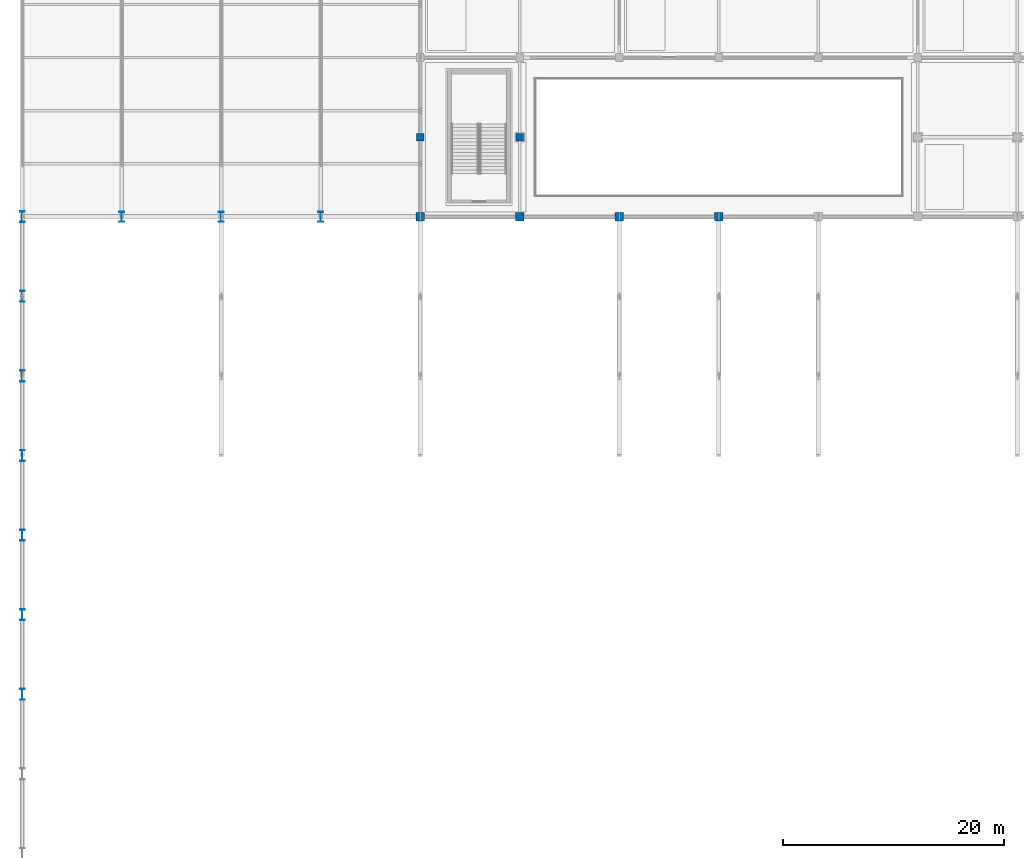
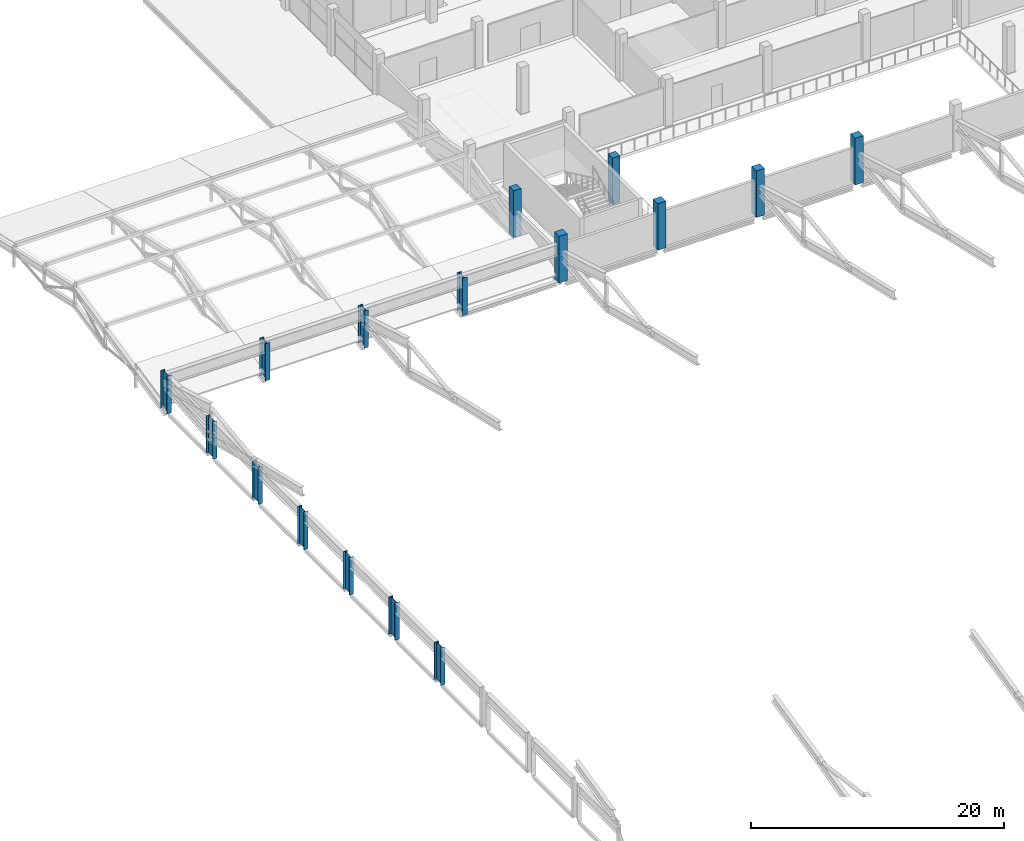
# One storey, part 3 of 151: 16 columns.
"""IFC4 building model written with IfcOpenShell, lengths in metres."""

from ifc_helpers import new_model, si_unit, direction, frame, origin, origin_2d, place, context, subcontext, project, spatial, rectangle, i_section, extrude, material, material_profile, profile_set, type_object, element, save


model = new_model("IFC4")

# Units and contexts
model_context = context("Model", 3, precision=1e-05, world=origin(), true_north=direction((0.0, 1.0)))
body_context = subcontext(model_context, "Body", "Model", "MODEL_VIEW")
ifc_project = project(units=[si_unit("LENGTHUNIT", "METRE"), si_unit("AREAUNIT", "SQUARE_METRE"), si_unit("VOLUMEUNIT", "CUBIC_METRE"), si_unit("PLANEANGLEUNIT", "RADIAN"), si_unit("MASSUNIT", "GRAM", prefix="KILO")], contexts=[model_context])

# Site, building, storey
site_placement = place(None, origin())
site = spatial("IfcSite", under=ifc_project, at=site_placement, CompositionType="ELEMENT")
building_placement = place(site_placement, origin())
building = spatial("IfcBuilding", under=site, at=building_placement, Name="Celestram Park Convention Centre", CompositionType="ELEMENT")
storey_placement = place(building_placement, frame((0.0, 0.0, 10.800048828125)))
storey = spatial("IfcBuildingStorey", under=building, at=storey_placement, Name="L02", CompositionType="ELEMENT", Elevation=10.800048828125)

# Columns
ifc_material_1 = material(Name="Concrete C40/50", Category="concrete")
ifc_material_profile_1 = material_profile(ifc_material_1, rectangle(XDim=0.699951171875, YDim=0.699951171875, at=origin_2d()), Name="RC700X700")
ifc_profile_set_1 = profile_set([ifc_material_profile_1], Name="Concrete C40/50")
column_type_1 = type_object("IfcColumnType", Name="STR-COL-RC700", PredefinedType="COLUMN", material=ifc_profile_set_1)
for number, where, z_axis, x_axis, name in (
    (1, (36.0, 115.199951171875, 0.0), (0.0, 0.0, 1.0), (1.0, 0.0, 0.0), "Column CN-L02-022"),
    (2, (45.0, 115.199951171875, 0.0), (0.0, 0.0, 1.0), (1.0, 0.0, 0.0), "Column CN-L02-032"),
):
    element("IfcColumn", number, at=place(storey_placement, frame(where, z_axis=z_axis, x_axis=x_axis)), inside=storey, type_object=column_type_1, Name=name, PredefinedType="COLUMN", context=body_context, shape_type="SweptSolid", body=[
        extrude(rectangle(XDim=0.699951171875, YDim=0.699951171875, at=origin_2d()), origin(), (0.0, 0.0, 1.0), 4.5),
    ])
ifc_material_profile_2 = material_profile(ifc_material_1, rectangle(XDim=0.75, YDim=0.75, at=origin_2d()), Name="RC750X750")
ifc_profile_set_2 = profile_set([ifc_material_profile_2], Name="Concrete C40/50")
column_type_2 = type_object("IfcColumnType", Name="STR-COL-RC750", PredefinedType="COLUMN", material=ifc_profile_set_2)
for number, where, z_axis, x_axis, name in (
    (3, (36.0, 108.0, 0.0), (0.0, 0.0, 1.0), (1.0, 0.0, 0.0), "Column CN-L02-021"),
    (4, (45.0, 108.0, 0.0), (0.0, 0.0, 1.0), (1.0, 0.0, 0.0), "Column CN-L02-031"),
    (5, (54.0, 108.0, 0.0), (0.0, 0.0, 1.0), (1.0, 0.0, 0.0), "Column CN-L02-041"),
    (6, (63.0, 108.0, 0.0), (0.0, 0.0, 1.0), (1.0, 0.0, 0.0), "Column CN-L02-050"),
):
    element("IfcColumn", number, at=place(storey_placement, frame(where, z_axis=z_axis, x_axis=x_axis)), inside=storey, type_object=column_type_2, Name=name, PredefinedType="COLUMN", context=body_context, shape_type="SweptSolid", body=[
        extrude(rectangle(XDim=0.75, YDim=0.75, at=origin_2d()), origin(), (0.0, 0.0, 1.0), 4.5),
    ])
ifc_material_2 = material(Name="Steel ASTM A992 Grade 50", Category="steel")
ifc_material_profile_3 = material_profile(ifc_material_2, i_section(OverallWidth=0.4189453125, OverallDepth=0.927001953125, WebThickness=0.019287109375, FlangeThickness=0.031982421875, at=origin_2d()), Name="W36X231")
ifc_profile_set_3 = profile_set([ifc_material_profile_3], Name="Steel ASTM A992 Grade 50")
column_type_3 = type_object("IfcColumnType", Name="STR-COL-W36X231", PredefinedType="COLUMN", material=ifc_profile_set_3)
for number, where, z_axis, x_axis, name in (
    (7, (9.0, 108.0, 0.0), (0.0, 0.0, 1.0), (1.0, 0.0, 0.0), "Column CN-L02-015"),
    (8, (18.0, 108.0, 0.0), (0.0, 0.0, 1.0), (1.0, 0.0, 0.0), "Column CN-L02-017"),
    (9, (27.0, 108.0, 0.0), (0.0, 0.0, 1.0), (1.0, 0.0, 0.0), "Column CN-L02-019"),
):
    element("IfcColumn", number, at=place(storey_placement, frame(where, z_axis=z_axis, x_axis=x_axis)), inside=storey, type_object=column_type_3, Name=name, PredefinedType="COLUMN", context=body_context, shape_type="SweptSolid", body=[
        extrude(i_section(OverallWidth=0.4189453125, OverallDepth=0.927001953125, WebThickness=0.019287109375, FlangeThickness=0.031982421875, at=origin_2d()), origin(), (0.0, 0.0, 1.0), 3.599853515625),
    ])
ifc_material_profile_4 = material_profile(ifc_material_2, i_section(OverallWidth=0.40087890625, OverallDepth=1.010986328125, WebThickness=0.023681640625, FlangeThickness=0.0419921875, at=origin_2d()), Name="W40X297")
ifc_profile_set_4 = profile_set([ifc_material_profile_4], Name="Steel ASTM A992 Grade 50")
column_type_4 = type_object("IfcColumnType", Name="STR-COL-W40X297", PredefinedType="COLUMN", material=ifc_profile_set_4)
for number, where, z_axis, x_axis, name in (
    (10, (0.0, 64.800048828125, 0.0), (0.0, 0.0, 1.0), (1.0, 0.0, 0.0), "Column CN-L02-007"),
    (11, (0.0, 72.0, 0.0), (0.0, 0.0, 1.0), (1.0, 0.0, 0.0), "Column CN-L02-008"),
    (12, (0.0, 79.199951171875, 0.0), (0.0, 0.0, 1.0), (1.0, 0.0, 0.0), "Column CN-L02-009"),
    (13, (0.0, 86.39990234375, 0.0), (0.0, 0.0, 1.0), (1.0, 0.0, 0.0), "Column CN-L02-010"),
    (14, (0.0, 93.60009765625, 0.0), (0.0, 0.0, 1.0), (1.0, 0.0, 0.0), "Column CN-L02-011"),
    (15, (0.0, 100.800048828125, 0.0), (0.0, 0.0, 1.0), (1.0, 0.0, 0.0), "Column CN-L02-012"),
    (16, (0.0, 108.0, 0.0), (0.0, 0.0, 1.0), (1.0, 0.0, 0.0), "Column CN-L02-013"),
):
    element("IfcColumn", number, at=place(storey_placement, frame(where, z_axis=z_axis, x_axis=x_axis)), inside=storey, type_object=column_type_4, Name=name, PredefinedType="COLUMN", context=body_context, shape_type="SweptSolid", body=[
        extrude(i_section(OverallWidth=0.40087890625, OverallDepth=1.010986328125, WebThickness=0.023681640625, FlangeThickness=0.0419921875, at=origin_2d()), origin(), (0.0, 0.0, 1.0), 3.599853515625),
    ])

save(model, "model.ifc")
